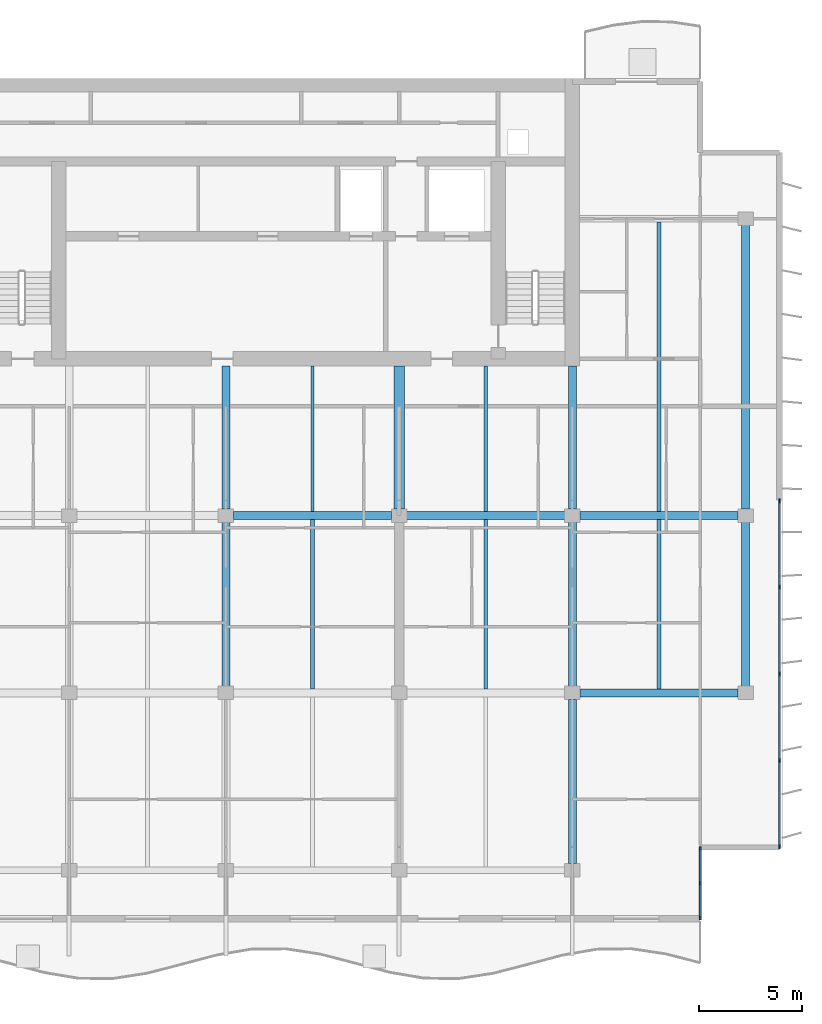
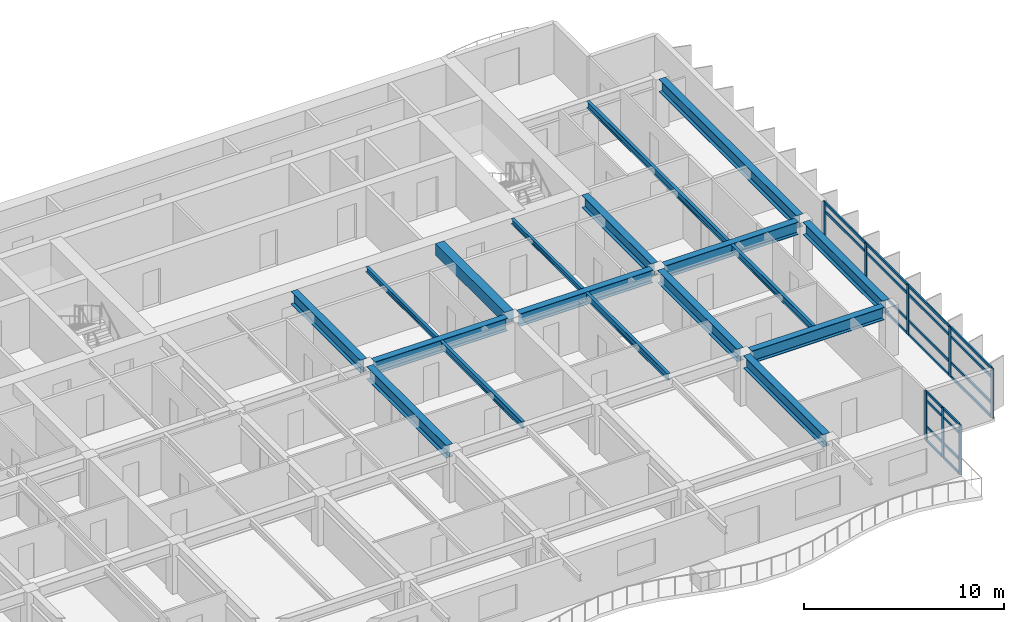
# One storey, part 4 of 16: 32 members, 18 beams, 2 elements without a shape of their own.
"""IFC4 building model written with IfcOpenShell, lengths in metres."""

from ifc_helpers import new_model, si_unit, direction, frame, origin, origin_2d, place, context, subcontext, project, spatial, rectangle, i_section, extrude, material, layer, layer_set, material_profile, profile_set, type_object, element, aggregate, save


model = new_model("IFC4")

# Units and contexts
model_context = context("Model", 3, precision=1e-05, world=origin(), true_north=direction((0.0, 1.0)))
body_context = subcontext(model_context, "Body", "Model", "MODEL_VIEW")
ifc_project = project(units=[si_unit("LENGTHUNIT", "METRE"), si_unit("AREAUNIT", "SQUARE_METRE"), si_unit("VOLUMEUNIT", "CUBIC_METRE"), si_unit("PLANEANGLEUNIT", "RADIAN"), si_unit("MASSUNIT", "GRAM", prefix="KILO")], contexts=[model_context])

# Site, building, storey
site_placement = place(None, origin())
site = spatial("IfcSite", under=ifc_project, at=site_placement, CompositionType="ELEMENT")
building_placement = place(site_placement, origin())
building = spatial("IfcBuilding", under=site, at=building_placement, Name="Caelmar Bay Residences", CompositionType="ELEMENT")
storey_placement = place(building_placement, frame((0.0, 0.0, 252.89990234375)))
storey = spatial("IfcBuildingStorey", under=building, at=storey_placement, Name="L71", CompositionType="ELEMENT", Elevation=252.89990234375)

# Beams
ifc_material_1 = material(Name="Steel ASTM A992 Grade 50", Category="steel")
ifc_material_profile_1 = material_profile(ifc_material_1, i_section(OverallWidth=0.177978515625, OverallDepth=0.406005859375, WebThickness=0.0078125, FlangeThickness=0.0126953125, FilletRadius=0.0087890625, at=origin_2d()), Name="W16X40")
ifc_profile_set_1 = profile_set([ifc_material_profile_1], Name="Steel ASTM A992 Grade 50")
beam_type_1 = type_object("IfcBeamType", Name="BM-BAL-W16X40", PredefinedType="JOIST", material=ifc_profile_set_1)
for number, where, z_axis, x_axis, name in (
    (1, (46.89990234375, 20.990478515625, 2.84716796875), (0.0, 1.0, 0.0), (-1.0, 0.0, 0.0), "L71 Composite Floor Joist 10"),
    (2, (55.300048828125, 20.990478515625, 2.84716796875), (0.0, 1.0, 0.0), (-1.0, 0.0, 0.0), "L71 Composite Floor Joist 11"),
    (3, (63.699951171875, 20.990478515625, 2.84716796875), (0.0, 1.0, 0.0), (-1.0, 0.0, 0.0), "L71 Composite Floor Joist 12"),
):
    element("IfcBeam", number, at=place(storey_placement, frame(where, z_axis=z_axis, x_axis=x_axis)), inside=storey, type_object=beam_type_1, Name=name, PredefinedType="JOIST", context=body_context, shape_type="SweptSolid", body=[
        extrude(i_section(OverallWidth=0.177978515625, OverallDepth=0.406005859375, WebThickness=0.0078125, FlangeThickness=0.0126953125, FilletRadius=0.0087890625, at=origin_2d()), origin(), (0.0, 0.0, 1.0), 8.218994140625),
    ])
beam_1_placement = place(storey_placement, frame((63.699951171875, 29.590576171875, 2.84716796875), z_axis=(0.0, 1.0, 0.0), x_axis=(-1.0, 0.0, 0.0)))
element("IfcBeam", 4, at=beam_1_placement, inside=storey, type_object=beam_type_1, Name="L71 Composite Floor Joist 19", PredefinedType="JOIST", context=body_context, shape_type="SweptSolid", body=[
    extrude(i_section(OverallWidth=0.177978515625, OverallDepth=0.406005859375, WebThickness=0.0078125, FlangeThickness=0.0126953125, FilletRadius=0.0087890625, at=origin_2d()), origin(), (0.0, 0.0, 1.0), 14.046875),
])
ifc_material_profile_2 = material_profile(ifc_material_1, i_section(OverallWidth=0.381103515625, OverallDepth=0.77197265625, WebThickness=0.0166015625, FlangeThickness=0.027099609375, FilletRadius=0.0166015625, at=origin_2d()), Name="W30X173")
ifc_profile_set_2 = profile_set([ifc_material_profile_2], Name="Steel ASTM A992 Grade 50")
beam_type_2 = type_object("IfcBeamType", Name="BM-GRD-W30X173", PredefinedType="BEAM", material=ifc_profile_set_2)
beam_2_placement = place(storey_placement, frame((59.864990234375, 20.800048828125, 2.6640625), z_axis=(1.0, 0.0, 0.0), x_axis=(0.0, 1.0, 0.0)))
element("IfcBeam", 5, at=beam_2_placement, inside=storey, type_object=beam_type_2, Name="L71 East-West Girder Y=20.80 (59.5-67.9)", PredefinedType="BEAM", context=body_context, shape_type="SweptSolid", body=[
    extrude(i_section(OverallWidth=0.381103515625, OverallDepth=0.77197265625, WebThickness=0.0166015625, FlangeThickness=0.027099609375, FilletRadius=0.0166015625, at=origin_2d()), origin(), (0.0, 0.0, 1.0), 7.669921875),
])
beam_3_placement = place(storey_placement, frame((43.06494140625, 29.39990234375, 2.6640625), z_axis=(1.0, 0.0, 0.0), x_axis=(0.0, 1.0, 0.0)))
element("IfcBeam", 6, at=beam_3_placement, inside=storey, type_object=beam_type_2, Name="L71 East-West Girder Y=29.40 (42.7-51.1)", PredefinedType="BEAM", context=body_context, shape_type="SweptSolid", body=[
    extrude(i_section(OverallWidth=0.381103515625, OverallDepth=0.77197265625, WebThickness=0.0166015625, FlangeThickness=0.027099609375, FilletRadius=0.0166015625, at=origin_2d()), origin(), (0.0, 0.0, 1.0), 7.670166015625),
])
for number, where, z_axis, x_axis, name in (
    (7, (51.465087890625, 29.39990234375, 2.6640625), (1.0, 0.0, 0.0), (0.0, 1.0, 0.0), "L71 East-West Girder Y=29.40 (51.1-59.5)"),
    (8, (59.864990234375, 29.39990234375, 2.6640625), (1.0, 0.0, 0.0), (0.0, 1.0, 0.0), "L71 East-West Girder Y=29.40 (59.5-67.9)"),
):
    element("IfcBeam", number, at=place(storey_placement, frame(where, z_axis=z_axis, x_axis=x_axis)), inside=storey, type_object=beam_type_2, Name=name, PredefinedType="BEAM", context=body_context, shape_type="SweptSolid", body=[
        extrude(i_section(OverallWidth=0.381103515625, OverallDepth=0.77197265625, WebThickness=0.0166015625, FlangeThickness=0.027099609375, FilletRadius=0.0166015625, at=origin_2d()), origin(), (0.0, 0.0, 1.0), 7.669921875),
    ])
beam_4_placement = place(storey_placement, frame((42.699951171875, 29.715087890625, 2.6640625), z_axis=(0.0, 1.0, 0.0), x_axis=(-1.0, 0.0, 0.0)))
element("IfcBeam", 9, at=beam_4_placement, inside=storey, type_object=beam_type_2, Name="L71 Core Tie Girder X=42.70", PredefinedType="BEAM", context=body_context, shape_type="SweptSolid", body=[
    extrude(i_section(OverallWidth=0.381103515625, OverallDepth=0.77197265625, WebThickness=0.0166015625, FlangeThickness=0.027099609375, FilletRadius=0.0166015625, at=origin_2d()), origin(), (0.0, 0.0, 1.0), 6.934814453125),
])
beam_5_placement = place(storey_placement, frame((42.699951171875, 21.114990234375, 2.6640625), z_axis=(0.0, 1.0, 0.0), x_axis=(-1.0, 0.0, 0.0)))
element("IfcBeam", 10, at=beam_5_placement, inside=storey, type_object=beam_type_2, Name="L71 North-South Girder X=42.70 (20.8-29.4)", PredefinedType="BEAM", context=body_context, shape_type="SweptSolid", body=[
    extrude(i_section(OverallWidth=0.381103515625, OverallDepth=0.77197265625, WebThickness=0.0166015625, FlangeThickness=0.027099609375, FilletRadius=0.0166015625, at=origin_2d()), origin(), (0.0, 0.0, 1.0), 7.969970703125),
])
beam_6_placement = place(storey_placement, frame((59.5, 29.715087890625, 2.6640625), z_axis=(0.0, 1.0, 0.0), x_axis=(-1.0, 0.0, 0.0)))
element("IfcBeam", 11, at=beam_6_placement, inside=storey, type_object=beam_type_2, Name="L71 Core Tie Girder X=59.50", PredefinedType="BEAM", context=body_context, shape_type="SweptSolid", body=[
    extrude(i_section(OverallWidth=0.381103515625, OverallDepth=0.77197265625, WebThickness=0.0166015625, FlangeThickness=0.027099609375, FilletRadius=0.0166015625, at=origin_2d()), origin(), (0.0, 0.0, 1.0), 6.934814453125),
])
beam_7_placement = place(storey_placement, frame((59.5, 12.514892578125, 2.6640625), z_axis=(0.0, 1.0, 0.0), x_axis=(-1.0, 0.0, 0.0)))
element("IfcBeam", 12, at=beam_7_placement, inside=storey, type_object=beam_type_2, Name="L71 North-South Girder X=59.50 (12.2-20.8)", PredefinedType="BEAM", context=body_context, shape_type="SweptSolid", body=[
    extrude(i_section(OverallWidth=0.381103515625, OverallDepth=0.77197265625, WebThickness=0.0166015625, FlangeThickness=0.027099609375, FilletRadius=0.0166015625, at=origin_2d()), origin(), (0.0, 0.0, 1.0), 7.97021484375),
])
for number, where, z_axis, x_axis, name in (
    (13, (59.5, 21.114990234375, 2.6640625), (0.0, 1.0, 0.0), (-1.0, 0.0, 0.0), "L71 North-South Girder X=59.50 (20.8-29.4)"),
    (14, (67.89990234375, 21.114990234375, 2.6640625), (0.0, 1.0, 0.0), (-1.0, 0.0, 0.0), "L71 North-South Girder X=67.90 (20.8-29.4)"),
):
    element("IfcBeam", number, at=place(storey_placement, frame(where, z_axis=z_axis, x_axis=x_axis)), inside=storey, type_object=beam_type_2, Name=name, PredefinedType="BEAM", context=body_context, shape_type="SweptSolid", body=[
        extrude(i_section(OverallWidth=0.381103515625, OverallDepth=0.77197265625, WebThickness=0.0166015625, FlangeThickness=0.027099609375, FilletRadius=0.0166015625, at=origin_2d()), origin(), (0.0, 0.0, 1.0), 7.969970703125),
    ])
beam_8_placement = place(storey_placement, frame((67.89990234375, 29.715087890625, 2.6640625), z_axis=(0.0, 1.0, 0.0), x_axis=(-1.0, 0.0, 0.0)))
element("IfcBeam", 15, at=beam_8_placement, inside=storey, type_object=beam_type_2, Name="L71 North-South Girder X=67.90 (29.4-43.8)", PredefinedType="BEAM", context=body_context, shape_type="SweptSolid", body=[
    extrude(i_section(OverallWidth=0.381103515625, OverallDepth=0.77197265625, WebThickness=0.0166015625, FlangeThickness=0.027099609375, FilletRadius=0.0166015625, at=origin_2d()), origin(), (0.0, 0.0, 1.0), 13.77001953125),
])
ifc_material_profile_3 = material_profile(ifc_material_1, i_section(OverallWidth=0.1650390625, OverallDepth=0.31005859375, WebThickness=0.005859375, FlangeThickness=0.009765625, FilletRadius=0.007568359375, at=origin_2d()), Name="W12X26")
ifc_profile_set_3 = profile_set([ifc_material_profile_3], Name="Steel ASTM A992 Grade 50")
beam_type_3 = type_object("IfcBeamType", Name="BM-JST-W12X26", PredefinedType="JOIST", material=ifc_profile_set_3)
for number, where, z_axis, x_axis, name in (
    (16, (46.89990234375, 29.590576171875, 2.89501953125), (0.0, 1.0, 0.0), (-1.0, 0.0, 0.0), "L71 Core-Band Composite Joist 16"),
    (17, (55.300048828125, 29.590576171875, 2.89501953125), (0.0, 1.0, 0.0), (-1.0, 0.0, 0.0), "L71 Core-Band Composite Joist 17"),
):
    element("IfcBeam", number, at=place(storey_placement, frame(where, z_axis=z_axis, x_axis=x_axis)), inside=storey, type_object=beam_type_3, Name=name, PredefinedType="JOIST", context=body_context, shape_type="SweptSolid", body=[
        extrude(i_section(OverallWidth=0.1650390625, OverallDepth=0.31005859375, WebThickness=0.005859375, FlangeThickness=0.009765625, FilletRadius=0.007568359375, at=origin_2d()), origin(), (0.0, 0.0, 1.0), 7.059326171875),
    ])
ifc_material_2 = material(Name="Concrete f'c 55 MPa (8,000 psi)", Category="concrete")
ifc_material_profile_4 = material_profile(ifc_material_2, rectangle(XDim=0.5, YDim=0.699951171875, at=origin_2d()), Name="RC-BM-500X700")
ifc_profile_set_4 = profile_set([ifc_material_profile_4], Name="Concrete f'c 55 MPa (8,000 psi)")
beam_type_4 = type_object("IfcBeamType", Name="BM-RC-500X700", PredefinedType="LINTEL", material=ifc_profile_set_4)
beam_9_placement = place(storey_placement, frame((51.10009765625, 29.715087890625, 2.7001953125), z_axis=(0.0, 1.0, 0.0), x_axis=(-1.0, 0.0, 0.0)))
element("IfcBeam", 18, at=beam_9_placement, inside=storey, type_object=beam_type_4, Name="L71 Shear-Wall Corridor Coupling Lintel E8", PredefinedType="LINTEL", context=body_context, shape_type="SweptSolid", body=[
    extrude(rectangle(XDim=0.5, YDim=0.699951171875, at=origin_2d()), origin(), (0.0, 0.0, 1.0), 6.934814453125),
])

# Curtain wall, members
ifc_material_3 = material(Name="Anodised bronze aluminium 6063-T6 and laminated glass", Category="aluminium")
ifc_layer_1 = layer(ifc_material_3, 0.179931640625)
ifc_layer_set_1 = layer_set([ifc_layer_1], Name="Anodised bronze aluminium 6063-T6 and laminated glass")
curtain_wall_type_1 = type_object("IfcCurtainWallType", Name="CW6-NTC", PredefinedType="NOTDEFINED", material=ifc_layer_set_1)
curtain_wall_1_placement = place(storey_placement, origin())
curtain_wall_1 = element("IfcCurtainWall", 19, at=curtain_wall_1_placement, inside=storey, type_object=curtain_wall_type_1, Name="CW6 curtain wall L71", PredefinedType="NOTDEFINED")
ifc_material_4 = material(Name="Anodised bronze aluminium 6063-T6", Category="aluminium")
ifc_material_profile_5 = material_profile(ifc_material_4, rectangle(XDim=0.080078125, YDim=0.179931640625, at=origin_2d()), Name="CWM-80X180")
ifc_profile_set_5 = profile_set([ifc_material_profile_5], Name="Anodised bronze aluminium 6063-T6")
member_type_1 = type_object("IfcMemberType", Name="CWM-180", PredefinedType="MULLION", material=ifc_profile_set_5)
member_1_placement = place(storey_placement, frame((65.699951171875, 9.889892578125, 0.0), z_axis=(0.0, 0.0, 1.0), x_axis=(-1.0, 0.0, 0.0)))
member_1 = element("IfcMember", 20, at=member_1_placement, type_object=member_type_1, Name="CW6 mullion 1", PredefinedType="MULLION", context=body_context, shape_type="SweptSolid", body=[
    extrude(rectangle(XDim=0.080078125, YDim=0.179931640625, at=origin_2d()), origin(), (0.0, 0.0, 1.0), 3.050048828125),
])
member_2_placement = place(storey_placement, frame((65.699951171875, 11.574951171875, 0.0), z_axis=(0.0, 0.0, 1.0), x_axis=(-1.0, 0.0, 0.0)))
member_2 = element("IfcMember", 21, at=member_2_placement, type_object=member_type_1, Name="CW6 mullion 2", PredefinedType="MULLION", context=body_context, shape_type="SweptSolid", body=[
    extrude(rectangle(XDim=0.080078125, YDim=0.179931640625, at=origin_2d()), origin(), (0.0, 0.0, 1.0), 3.050048828125),
])
member_3_placement = place(storey_placement, frame((65.699951171875, 13.260009765625, 0.0), z_axis=(0.0, 0.0, 1.0), x_axis=(-1.0, 0.0, 0.0)))
member_3 = element("IfcMember", 22, at=member_3_placement, type_object=member_type_1, Name="CW6 mullion 3", PredefinedType="MULLION", context=body_context, shape_type="SweptSolid", body=[
    extrude(rectangle(XDim=0.080078125, YDim=0.179931640625, at=origin_2d()), origin(), (0.0, 0.0, 1.0), 3.050048828125),
])

ifc_layer_2 = layer(ifc_material_3, 0.179931640625)
ifc_layer_set_2 = layer_set([ifc_layer_2], Name="Anodised bronze aluminium 6063-T6 and laminated glass")
curtain_wall_type_2 = type_object("IfcCurtainWallType", Name="CW5-Z4", PredefinedType="NOTDEFINED", material=ifc_layer_set_2)
curtain_wall_2_placement = place(storey_placement, origin())
curtain_wall_2 = element("IfcCurtainWall", 23, at=curtain_wall_2_placement, inside=storey, type_object=curtain_wall_type_2, Name="CW5 curtain wall L71", PredefinedType="NOTDEFINED")
ifc_material_profile_6 = material_profile(ifc_material_4, rectangle(XDim=0.080078125, YDim=0.219970703125, at=origin_2d()), Name="CWM-80X220")
ifc_profile_set_6 = profile_set([ifc_material_profile_6], Name="Anodised bronze aluminium 6063-T6")
member_type_2 = type_object("IfcMemberType", Name="CWM-220", PredefinedType="MULLION", material=ifc_profile_set_6)
member_4_placement = place(storey_placement, frame((69.550048828125, 30.110107421875, 0.0), z_axis=(0.0, 0.0, 1.0), x_axis=(1.0, 0.0, 0.0)))
member_4 = element("IfcMember", 24, at=member_4_placement, type_object=member_type_2, Name="CW5 mullion 1", PredefinedType="MULLION", context=body_context, shape_type="SweptSolid", body=[
    extrude(rectangle(XDim=0.080078125, YDim=0.219970703125, at=origin_2d()), origin(), (0.0, 0.0, 1.0), 3.050048828125),
])
member_5_placement = place(storey_placement, frame((69.550048828125, 25.9375, 0.0), z_axis=(0.0, 0.0, 1.0), x_axis=(1.0, 0.0, 0.0)))
member_5 = element("IfcMember", 25, at=member_5_placement, type_object=member_type_2, Name="CW5 mullion 2", PredefinedType="MULLION", context=body_context, shape_type="SweptSolid", body=[
    extrude(rectangle(XDim=0.080078125, YDim=0.219970703125, at=origin_2d()), origin(), (0.0, 0.0, 1.0), 3.050048828125),
])
member_6_placement = place(storey_placement, frame((69.550048828125, 21.72509765625, 0.0), z_axis=(0.0, 0.0, 1.0), x_axis=(1.0, 0.0, 0.0)))
member_6 = element("IfcMember", 26, at=member_6_placement, type_object=member_type_2, Name="CW5 mullion 3", PredefinedType="MULLION", context=body_context, shape_type="SweptSolid", body=[
    extrude(rectangle(XDim=0.080078125, YDim=0.219970703125, at=origin_2d()), origin(), (0.0, 0.0, 1.0), 3.050048828125),
])
member_7_placement = place(storey_placement, frame((69.550048828125, 17.512451171875, 0.0), z_axis=(0.0, 0.0, 1.0), x_axis=(1.0, 0.0, 0.0)))
member_7 = element("IfcMember", 27, at=member_7_placement, type_object=member_type_2, Name="CW5 mullion 4", PredefinedType="MULLION", context=body_context, shape_type="SweptSolid", body=[
    extrude(rectangle(XDim=0.080078125, YDim=0.219970703125, at=origin_2d()), origin(), (0.0, 0.0, 1.0), 3.050048828125),
])
member_8_placement = place(storey_placement, frame((69.550048828125, 13.340087890625, 0.0), z_axis=(0.0, 0.0, 1.0), x_axis=(1.0, 0.0, 0.0)))
member_8 = element("IfcMember", 28, at=member_8_placement, type_object=member_type_2, Name="CW5 mullion 5", PredefinedType="MULLION", context=body_context, shape_type="SweptSolid", body=[
    extrude(rectangle(XDim=0.080078125, YDim=0.219970703125, at=origin_2d()), origin(), (0.0, 0.0, 1.0), 3.050048828125),
])

# Member
ifc_material_profile_7 = material_profile(ifc_material_4, rectangle(XDim=0.080078125, YDim=0.139892578125, at=origin_2d()), Name="CWT-80X140")
ifc_profile_set_7 = profile_set([ifc_material_profile_7], Name="Anodised bronze aluminium 6063-T6")
member_type_3 = type_object("IfcMemberType", Name="CWT-140", PredefinedType="NOTDEFINED", material=ifc_profile_set_7)
member_9_placement = place(storey_placement, frame((65.699951171875, 9.929931640625, 0.0400390625), z_axis=(0.0, 1.0, 0.0), x_axis=(-1.0, 0.0, 0.0)))
member_9 = element("IfcMember", 29, at=member_9_placement, type_object=member_type_3, Name="CW6 transom 1.1", ObjectType="TRANSOM", PredefinedType="USERDEFINED", context=body_context, shape_type="SweptSolid", body=[
    extrude(rectangle(XDim=0.080078125, YDim=0.139892578125, at=origin_2d()), origin(), (0.0, 0.0, 1.0), 1.60498046875),
])

member_10_placement = place(storey_placement, frame((65.699951171875, 9.929931640625, 0.900146484375), z_axis=(0.0, 1.0, 0.0), x_axis=(-1.0, 0.0, 0.0)))
member_10 = element("IfcMember", 30, at=member_10_placement, type_object=member_type_3, Name="CW6 transom 1.2", ObjectType="TRANSOM", PredefinedType="USERDEFINED", context=body_context, shape_type="SweptSolid", body=[
    extrude(rectangle(XDim=0.080078125, YDim=0.139892578125, at=origin_2d()), origin(), (0.0, 0.0, 1.0), 1.60498046875),
])

member_11_placement = place(storey_placement, frame((65.699951171875, 9.929931640625, 2.5), z_axis=(0.0, 1.0, 0.0), x_axis=(-1.0, 0.0, 0.0)))
member_11 = element("IfcMember", 31, at=member_11_placement, type_object=member_type_3, Name="CW6 transom 1.3", ObjectType="TRANSOM", PredefinedType="USERDEFINED", context=body_context, shape_type="SweptSolid", body=[
    extrude(rectangle(XDim=0.080078125, YDim=0.139892578125, at=origin_2d()), origin(), (0.0, 0.0, 1.0), 1.60498046875),
])

member_12_placement = place(storey_placement, frame((65.699951171875, 9.929931640625, 3.010009765625), z_axis=(0.0, 1.0, 0.0), x_axis=(-1.0, 0.0, 0.0)))
member_12 = element("IfcMember", 32, at=member_12_placement, type_object=member_type_3, Name="CW6 transom 1.4", ObjectType="TRANSOM", PredefinedType="USERDEFINED", context=body_context, shape_type="SweptSolid", body=[
    extrude(rectangle(XDim=0.080078125, YDim=0.139892578125, at=origin_2d()), origin(), (0.0, 0.0, 1.0), 1.60498046875),
])

member_13_placement = place(storey_placement, frame((65.699951171875, 11.614990234375, 0.0400390625), z_axis=(0.0, 1.0, 0.0), x_axis=(-1.0, 0.0, 0.0)))
member_13 = element("IfcMember", 33, at=member_13_placement, type_object=member_type_3, Name="CW6 transom 2.1", ObjectType="TRANSOM", PredefinedType="USERDEFINED", context=body_context, shape_type="SweptSolid", body=[
    extrude(rectangle(XDim=0.080078125, YDim=0.139892578125, at=origin_2d()), origin(), (0.0, 0.0, 1.0), 1.60498046875),
])

member_14_placement = place(storey_placement, frame((65.699951171875, 11.614990234375, 0.900146484375), z_axis=(0.0, 1.0, 0.0), x_axis=(-1.0, 0.0, 0.0)))
member_14 = element("IfcMember", 34, at=member_14_placement, type_object=member_type_3, Name="CW6 transom 2.2", ObjectType="TRANSOM", PredefinedType="USERDEFINED", context=body_context, shape_type="SweptSolid", body=[
    extrude(rectangle(XDim=0.080078125, YDim=0.139892578125, at=origin_2d()), origin(), (0.0, 0.0, 1.0), 1.60498046875),
])

member_15_placement = place(storey_placement, frame((65.699951171875, 11.614990234375, 2.5), z_axis=(0.0, 1.0, 0.0), x_axis=(-1.0, 0.0, 0.0)))
member_15 = element("IfcMember", 35, at=member_15_placement, type_object=member_type_3, Name="CW6 transom 2.3", ObjectType="TRANSOM", PredefinedType="USERDEFINED", context=body_context, shape_type="SweptSolid", body=[
    extrude(rectangle(XDim=0.080078125, YDim=0.139892578125, at=origin_2d()), origin(), (0.0, 0.0, 1.0), 1.60498046875),
])

member_16_placement = place(storey_placement, frame((65.699951171875, 11.614990234375, 3.010009765625), z_axis=(0.0, 1.0, 0.0), x_axis=(-1.0, 0.0, 0.0)))
member_16 = element("IfcMember", 36, at=member_16_placement, type_object=member_type_3, Name="CW6 transom 2.4", ObjectType="TRANSOM", PredefinedType="USERDEFINED", context=body_context, shape_type="SweptSolid", body=[
    extrude(rectangle(XDim=0.080078125, YDim=0.139892578125, at=origin_2d()), origin(), (0.0, 0.0, 1.0), 1.60498046875),
])

aggregate(curtain_wall_1, [member_1, member_2, member_3, member_9, member_10, member_11, member_12, member_13, member_14, member_15, member_16])

ifc_material_profile_8 = material_profile(ifc_material_4, rectangle(XDim=0.080078125, YDim=0.159912109375, at=origin_2d()), Name="CWT-80X160")
ifc_profile_set_8 = profile_set([ifc_material_profile_8], Name="Anodised bronze aluminium 6063-T6")
member_type_4 = type_object("IfcMemberType", Name="CWT-160", PredefinedType="NOTDEFINED", material=ifc_profile_set_8)
member_17_placement = place(storey_placement, frame((69.550048828125, 30.070068359375, 0.0400390625), z_axis=(0.0, -1.0, 0.0), x_axis=(1.0, 0.0, 0.0)))
member_17 = element("IfcMember", 37, at=member_17_placement, type_object=member_type_4, Name="CW5 transom 1.1", ObjectType="TRANSOM", PredefinedType="USERDEFINED", context=body_context, shape_type="SweptSolid", body=[
    extrude(rectangle(XDim=0.080078125, YDim=0.159912109375, at=origin_2d()), origin(), (0.0, 0.0, 1.0), 4.092529296875),
])

member_18_placement = place(storey_placement, frame((69.550048828125, 30.070068359375, 0.900146484375), z_axis=(0.0, -1.0, 0.0), x_axis=(1.0, 0.0, 0.0)))
member_18 = element("IfcMember", 38, at=member_18_placement, type_object=member_type_4, Name="CW5 transom 1.2", ObjectType="TRANSOM", PredefinedType="USERDEFINED", context=body_context, shape_type="SweptSolid", body=[
    extrude(rectangle(XDim=0.080078125, YDim=0.159912109375, at=origin_2d()), origin(), (0.0, 0.0, 1.0), 4.092529296875),
])

member_19_placement = place(storey_placement, frame((69.550048828125, 30.070068359375, 2.5), z_axis=(0.0, -1.0, 0.0), x_axis=(1.0, 0.0, 0.0)))
member_19 = element("IfcMember", 39, at=member_19_placement, type_object=member_type_4, Name="CW5 transom 1.3", ObjectType="TRANSOM", PredefinedType="USERDEFINED", context=body_context, shape_type="SweptSolid", body=[
    extrude(rectangle(XDim=0.080078125, YDim=0.159912109375, at=origin_2d()), origin(), (0.0, 0.0, 1.0), 4.092529296875),
])

member_20_placement = place(storey_placement, frame((69.550048828125, 30.070068359375, 3.010009765625), z_axis=(0.0, -1.0, 0.0), x_axis=(1.0, 0.0, 0.0)))
member_20 = element("IfcMember", 40, at=member_20_placement, type_object=member_type_4, Name="CW5 transom 1.4", ObjectType="TRANSOM", PredefinedType="USERDEFINED", context=body_context, shape_type="SweptSolid", body=[
    extrude(rectangle(XDim=0.080078125, YDim=0.159912109375, at=origin_2d()), origin(), (0.0, 0.0, 1.0), 4.092529296875),
])

member_21_placement = place(storey_placement, frame((69.550048828125, 25.8974609375, 0.0400390625), z_axis=(0.0, -1.0, 0.0), x_axis=(1.0, 0.0, 0.0)))
member_21 = element("IfcMember", 41, at=member_21_placement, type_object=member_type_4, Name="CW5 transom 2.1", ObjectType="TRANSOM", PredefinedType="USERDEFINED", context=body_context, shape_type="SweptSolid", body=[
    extrude(rectangle(XDim=0.080078125, YDim=0.159912109375, at=origin_2d()), origin(), (0.0, 0.0, 1.0), 4.132568359375),
])

member_22_placement = place(storey_placement, frame((69.550048828125, 25.8974609375, 0.900146484375), z_axis=(0.0, -1.0, 0.0), x_axis=(1.0, 0.0, 0.0)))
member_22 = element("IfcMember", 42, at=member_22_placement, type_object=member_type_4, Name="CW5 transom 2.2", ObjectType="TRANSOM", PredefinedType="USERDEFINED", context=body_context, shape_type="SweptSolid", body=[
    extrude(rectangle(XDim=0.080078125, YDim=0.159912109375, at=origin_2d()), origin(), (0.0, 0.0, 1.0), 4.132568359375),
])

member_23_placement = place(storey_placement, frame((69.550048828125, 25.8974609375, 2.5), z_axis=(0.0, -1.0, 0.0), x_axis=(1.0, 0.0, 0.0)))
member_23 = element("IfcMember", 43, at=member_23_placement, type_object=member_type_4, Name="CW5 transom 2.3", ObjectType="TRANSOM", PredefinedType="USERDEFINED", context=body_context, shape_type="SweptSolid", body=[
    extrude(rectangle(XDim=0.080078125, YDim=0.159912109375, at=origin_2d()), origin(), (0.0, 0.0, 1.0), 4.132568359375),
])

member_24_placement = place(storey_placement, frame((69.550048828125, 25.8974609375, 3.010009765625), z_axis=(0.0, -1.0, 0.0), x_axis=(1.0, 0.0, 0.0)))
member_24 = element("IfcMember", 44, at=member_24_placement, type_object=member_type_4, Name="CW5 transom 2.4", ObjectType="TRANSOM", PredefinedType="USERDEFINED", context=body_context, shape_type="SweptSolid", body=[
    extrude(rectangle(XDim=0.080078125, YDim=0.159912109375, at=origin_2d()), origin(), (0.0, 0.0, 1.0), 4.132568359375),
])

member_25_placement = place(storey_placement, frame((69.550048828125, 21.68505859375, 0.0400390625), z_axis=(0.0, -1.0, 0.0), x_axis=(1.0, 0.0, 0.0)))
member_25 = element("IfcMember", 45, at=member_25_placement, type_object=member_type_4, Name="CW5 transom 3.1", ObjectType="TRANSOM", PredefinedType="USERDEFINED", context=body_context, shape_type="SweptSolid", body=[
    extrude(rectangle(XDim=0.080078125, YDim=0.159912109375, at=origin_2d()), origin(), (0.0, 0.0, 1.0), 4.132568359375),
])

member_26_placement = place(storey_placement, frame((69.550048828125, 21.68505859375, 0.900146484375), z_axis=(0.0, -1.0, 0.0), x_axis=(1.0, 0.0, 0.0)))
member_26 = element("IfcMember", 46, at=member_26_placement, type_object=member_type_4, Name="CW5 transom 3.2", ObjectType="TRANSOM", PredefinedType="USERDEFINED", context=body_context, shape_type="SweptSolid", body=[
    extrude(rectangle(XDim=0.080078125, YDim=0.159912109375, at=origin_2d()), origin(), (0.0, 0.0, 1.0), 4.132568359375),
])

member_27_placement = place(storey_placement, frame((69.550048828125, 21.68505859375, 2.5), z_axis=(0.0, -1.0, 0.0), x_axis=(1.0, 0.0, 0.0)))
member_27 = element("IfcMember", 47, at=member_27_placement, type_object=member_type_4, Name="CW5 transom 3.3", ObjectType="TRANSOM", PredefinedType="USERDEFINED", context=body_context, shape_type="SweptSolid", body=[
    extrude(rectangle(XDim=0.080078125, YDim=0.159912109375, at=origin_2d()), origin(), (0.0, 0.0, 1.0), 4.132568359375),
])

member_28_placement = place(storey_placement, frame((69.550048828125, 21.68505859375, 3.010009765625), z_axis=(0.0, -1.0, 0.0), x_axis=(1.0, 0.0, 0.0)))
member_28 = element("IfcMember", 48, at=member_28_placement, type_object=member_type_4, Name="CW5 transom 3.4", ObjectType="TRANSOM", PredefinedType="USERDEFINED", context=body_context, shape_type="SweptSolid", body=[
    extrude(rectangle(XDim=0.080078125, YDim=0.159912109375, at=origin_2d()), origin(), (0.0, 0.0, 1.0), 4.132568359375),
])

member_29_placement = place(storey_placement, frame((69.550048828125, 17.472412109375, 0.0400390625), z_axis=(0.0, -1.0, 0.0), x_axis=(1.0, 0.0, 0.0)))
member_29 = element("IfcMember", 49, at=member_29_placement, type_object=member_type_4, Name="CW5 transom 4.1", ObjectType="TRANSOM", PredefinedType="USERDEFINED", context=body_context, shape_type="SweptSolid", body=[
    extrude(rectangle(XDim=0.080078125, YDim=0.159912109375, at=origin_2d()), origin(), (0.0, 0.0, 1.0), 4.092529296875),
])

member_30_placement = place(storey_placement, frame((69.550048828125, 17.472412109375, 0.900146484375), z_axis=(0.0, -1.0, 0.0), x_axis=(1.0, 0.0, 0.0)))
member_30 = element("IfcMember", 50, at=member_30_placement, type_object=member_type_4, Name="CW5 transom 4.2", ObjectType="TRANSOM", PredefinedType="USERDEFINED", context=body_context, shape_type="SweptSolid", body=[
    extrude(rectangle(XDim=0.080078125, YDim=0.159912109375, at=origin_2d()), origin(), (0.0, 0.0, 1.0), 4.092529296875),
])

member_31_placement = place(storey_placement, frame((69.550048828125, 17.472412109375, 2.5), z_axis=(0.0, -1.0, 0.0), x_axis=(1.0, 0.0, 0.0)))
member_31 = element("IfcMember", 51, at=member_31_placement, type_object=member_type_4, Name="CW5 transom 4.3", ObjectType="TRANSOM", PredefinedType="USERDEFINED", context=body_context, shape_type="SweptSolid", body=[
    extrude(rectangle(XDim=0.080078125, YDim=0.159912109375, at=origin_2d()), origin(), (0.0, 0.0, 1.0), 4.092529296875),
])

member_32_placement = place(storey_placement, frame((69.550048828125, 17.472412109375, 3.010009765625), z_axis=(0.0, -1.0, 0.0), x_axis=(1.0, 0.0, 0.0)))
member_32 = element("IfcMember", 52, at=member_32_placement, type_object=member_type_4, Name="CW5 transom 4.4", ObjectType="TRANSOM", PredefinedType="USERDEFINED", context=body_context, shape_type="SweptSolid", body=[
    extrude(rectangle(XDim=0.080078125, YDim=0.159912109375, at=origin_2d()), origin(), (0.0, 0.0, 1.0), 4.092529296875),
])

aggregate(curtain_wall_2, [member_4, member_5, member_6, member_7, member_8, member_17, member_18, member_19, member_20, member_21, member_22, member_23, member_24, member_25, member_26, member_27, member_28, member_29, member_30, member_31, member_32])

save(model, "model.ifc")
